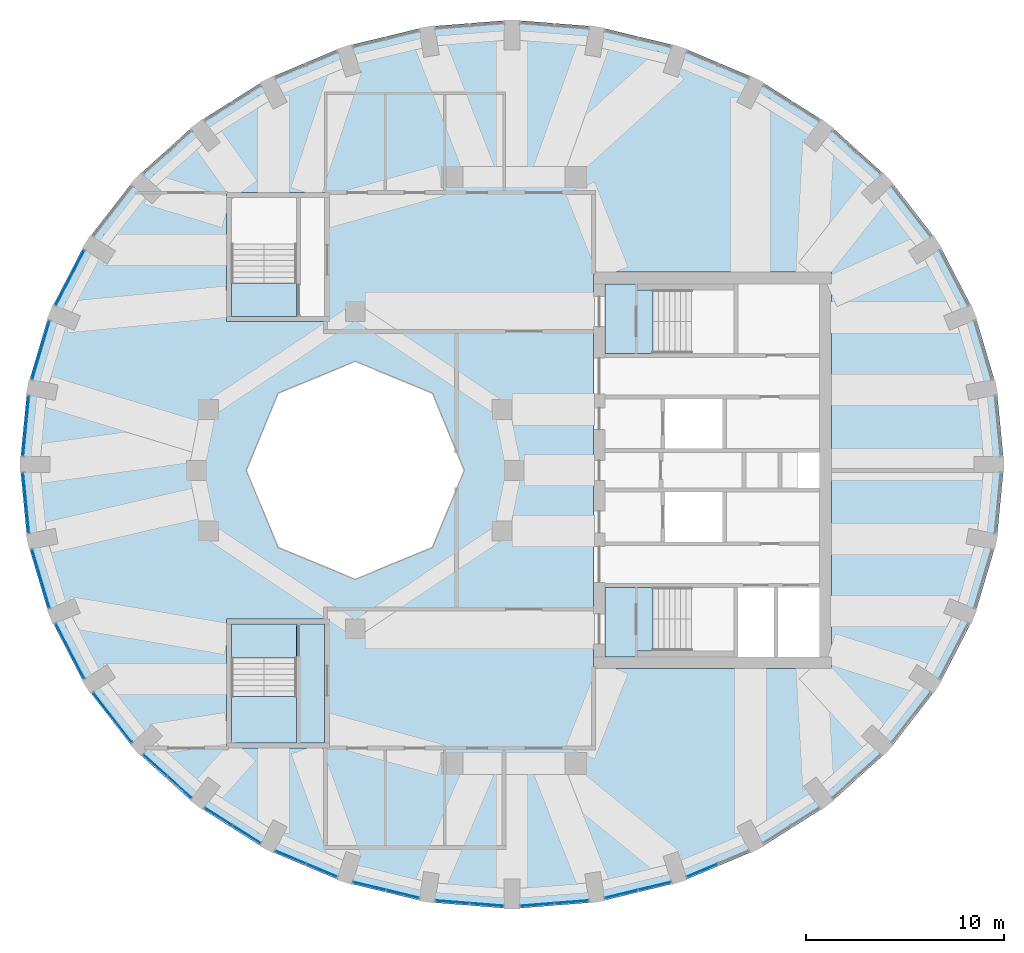
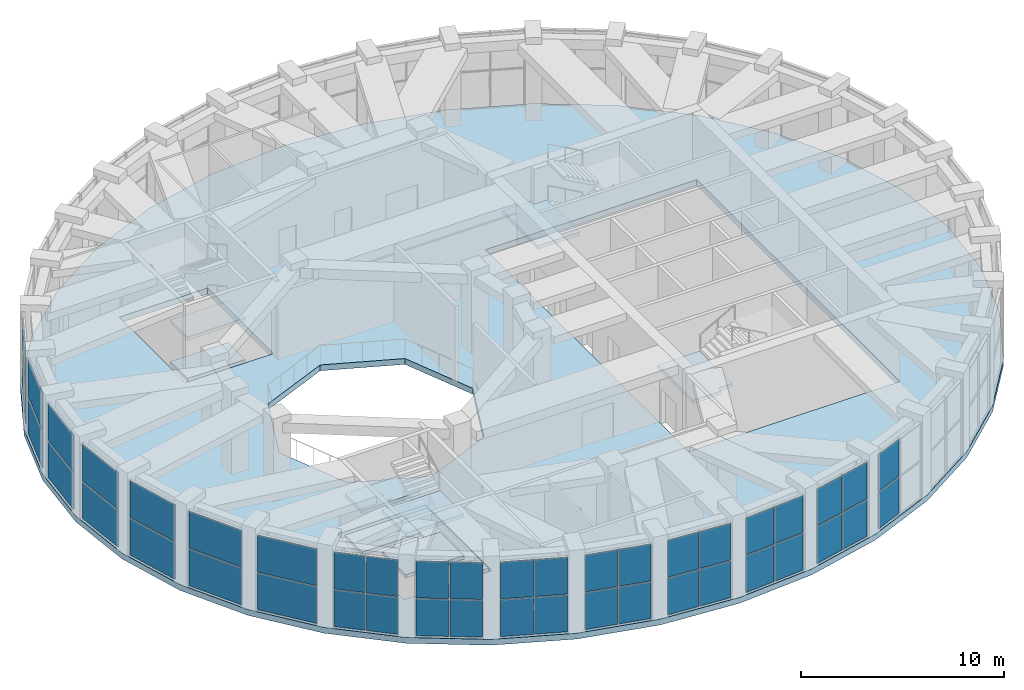
# One storey, part 10 of 16: 44 plates, 10 slabs, 19 elements without a shape of their own.
"""IFC4 building model written with IfcOpenShell, lengths in metres."""

from ifc_helpers import new_model, si_unit, direction, frame, origin, origin_2d, place, context, subcontext, project, spatial, polyline, rectangle, outline, extrude, material, layer, layer_set, type_object, element, aggregate, save


model = new_model("IFC4")

# Units and contexts
model_context = context("Model", 3, precision=1e-05, world=origin(), true_north=direction((0.0, 1.0)))
body_context = subcontext(model_context, "Body", "Model", "MODEL_VIEW")
ifc_project = project(units=[si_unit("LENGTHUNIT", "METRE"), si_unit("AREAUNIT", "SQUARE_METRE"), si_unit("VOLUMEUNIT", "CUBIC_METRE"), si_unit("PLANEANGLEUNIT", "RADIAN"), si_unit("MASSUNIT", "GRAM", prefix="KILO")], contexts=[model_context])

# Site, building, storey
site_placement = place(None, origin())
site = spatial("IfcSite", under=ifc_project, at=site_placement, CompositionType="ELEMENT")
building_placement = place(site_placement, origin())
building = spatial("IfcBuilding", under=site, at=building_placement, Name="Taillehof Tower", CompositionType="ELEMENT")
storey_placement = place(building_placement, frame((0.0, 0.0, 264.199951171875)))
storey = spatial("IfcBuildingStorey", under=building, at=storey_placement, Name="L75", CompositionType="ELEMENT", Elevation=264.199951171875)

# Slab
ifc_material_1 = material(Name="Concrete C40/50", Category="concrete")
ifc_layer_1 = layer(ifc_material_1, 0.35009765625)
ifc_layer_set_1 = layer_set([ifc_layer_1], Name="Floor slab 350")
slab_type_1 = type_object("IfcSlabType", Name="Floor slab 350", PredefinedType="FLOOR", material=ifc_layer_set_1)
slab_1_placement = place(storey_placement, frame((0.0, 0.0, -0.349853515625)))
element("IfcSlab", 1, at=slab_1_placement, inside=storey, type_object=slab_type_1, Name="Floor slab L75", PredefinedType="FLOOR", context=body_context, shape_type="SweptSolid", body=[
    extrude(outline(polyline([(24.699951171875, 0.300048828125), (24.3232421875, 4.189697265625), (23.204345703125, 7.961181640625), (21.37744140625, 11.5), (18.89794921875, 14.698486328125), (15.841064453125, 17.45947265625), (12.300048828125, 19.698974609375), (8.382080078125, 21.34912109375), (4.20654296875, 22.359619140625), (-0.10009765625, 22.699951171875), (-4.406494140625, 22.359619140625), (-8.58203125, 21.34912109375), (-12.5, 19.698974609375), (-16.041015625, 17.45947265625), (-19.097900390625, 14.698486328125), (-21.577392578125, 11.5), (-23.404296875, 7.961181640625), (-24.523193359375, 4.189697265625), (-24.89990234375, 0.300048828125), (-24.523193359375, -3.589599609375), (-23.404296875, -7.361328125), (-21.577392578125, -10.89990234375), (-19.097900390625, -14.098388671875), (-16.041015625, -16.859375), (-12.5, -19.09912109375), (-8.58203125, -20.7490234375), (-4.406494140625, -21.759765625), (-0.10009765625, -22.10009765625), (4.20654296875, -21.759765625), (8.382080078125, -20.7490234375), (12.300048828125, -19.09912109375), (15.841064453125, -16.859375), (18.89794921875, -14.098388671875), (21.37744140625, -10.89990234375), (23.204345703125, -7.361328125), (24.3232421875, -3.589599609375), (24.699951171875, 0.300048828125)]), holes=[polyline([(-14.5, -7.5), (-9.5, -7.5), (-9.5, -14.0), (-14.5, -14.0), (-14.5, -7.5)]), polyline([(-8.0, -5.5), (-11.88916015625, -3.88916015625), (-13.5, 0.0), (-11.88916015625, 3.88916015625), (-8.0, 5.5), (-4.11083984375, 3.88916015625), (-2.5, 0.0), (-4.11083984375, -3.88916015625), (-8.0, -5.5)]), polyline([(16.0, 10.0), (16.0, -10.0), (4.0, -10.0), (4.0, 10.0), (16.0, 10.0)]), polyline([(-14.5, 14.0), (-9.5, 14.0), (-9.5, 7.5), (-14.5, 7.5), (-14.5, 14.0)])]), origin(), (0.0, 0.0, 1.0), 0.349853515625),
])

# Curtain wall, plates
ifc_material_2 = material(Name="Aluminium curtain wall with Clear laminated safety glass", Category="aluminium")
curtain_wall_type = type_object("IfcCurtainWallType", Name="Sky restaurant curtain wall", PredefinedType="USERDEFINED", material=ifc_material_2)
curtain_wall_1_placement = place(storey_placement, origin())
curtain_wall_1 = element("IfcCurtainWall", 2, at=curtain_wall_1_placement, inside=storey, type_object=curtain_wall_type, Name="Sky restaurant L75 bay 16", ObjectType="WINDOW WALL", PredefinedType="USERDEFINED")
ifc_material_3 = material(Name="Clear laminated safety glass", Category="glass")
ifc_layer_2 = layer(ifc_material_3, 0.031982421875)
ifc_layer_set_2 = layer_set([ifc_layer_2], Name="Sky restaurant glass panel 32")
plate_type = type_object("IfcPlateType", Name="Sky restaurant glass panel 32", PredefinedType="CURTAIN_PANEL", material=ifc_layer_set_2)
plate_1_placement = place(storey_placement, frame((-22.379638671875, 9.706787109375, 0.06005859375), z_axis=(0.0, 0.0, 1.0), x_axis=(-0.459891218474, -0.887975262702, 0.0)))
plate_1 = element("IfcPlate", 3, at=plate_1_placement, type_object=plate_type, Name="CT5E16 panel 1.1", PredefinedType="CURTAIN_PANEL", context=body_context, shape_type="SweptSolid", body=[
    extrude(rectangle(XDim=3.0869140625, YDim=0.031982421875, at=origin_2d()), origin(), (0.0, 0.0, 1.0), 2.205078125),
])
plate_2_placement = place(storey_placement, frame((-22.379638671875, 9.706787109375, 2.324951171875), z_axis=(0.0, 0.0, 1.0), x_axis=(-0.459891218474, -0.887975262702, 0.0)))
plate_2 = element("IfcPlate", 4, at=plate_2_placement, type_object=plate_type, Name="CT5E16 panel 1.2", PredefinedType="CURTAIN_PANEL", context=body_context, shape_type="SweptSolid", body=[
    extrude(rectangle(XDim=3.0869140625, YDim=0.031982421875, at=origin_2d()), origin(), (0.0, 0.0, 1.0), 2.205078125),
])
aggregate(curtain_wall_1, [plate_1, plate_2])

curtain_wall_2_placement = place(storey_placement, origin())
curtain_wall_2 = element("IfcCurtainWall", 5, at=curtain_wall_2_placement, inside=storey, type_object=curtain_wall_type, Name="Sky restaurant L75 bay 17", ObjectType="WINDOW WALL", PredefinedType="USERDEFINED")
plate_3_placement = place(storey_placement, frame((-23.8525390625, 6.06298828125, 0.06005859375), z_axis=(0.0, 0.0, 1.0), x_axis=(-0.285235558707, -0.958457446134, 0.0)))
plate_3 = element("IfcPlate", 6, at=plate_3_placement, type_object=plate_type, Name="CT5E17 panel 1.1", PredefinedType="CURTAIN_PANEL", context=body_context, shape_type="SweptSolid", body=[
    extrude(rectangle(XDim=3.041259765625, YDim=0.031982421875, at=origin_2d()), origin(), (0.0, 0.0, 1.0), 2.205078125),
])
plate_4_placement = place(storey_placement, frame((-23.8525390625, 6.06298828125, 2.324951171875), z_axis=(0.0, 0.0, 1.0), x_axis=(-0.285235558707, -0.958457446134, 0.0)))
plate_4 = element("IfcPlate", 7, at=plate_4_placement, type_object=plate_type, Name="CT5E17 panel 1.2", PredefinedType="CURTAIN_PANEL", context=body_context, shape_type="SweptSolid", body=[
    extrude(rectangle(XDim=3.041259765625, YDim=0.031982421875, at=origin_2d()), origin(), (0.0, 0.0, 1.0), 2.205078125),
])
aggregate(curtain_wall_2, [plate_3, plate_4])

curtain_wall_3_placement = place(storey_placement, origin())
curtain_wall_3 = element("IfcCurtainWall", 8, at=curtain_wall_3_placement, inside=storey, type_object=curtain_wall_type, Name="Sky restaurant L75 bay 18", ObjectType="WINDOW WALL", PredefinedType="USERDEFINED")
plate_5_placement = place(storey_placement, frame((-24.600830078125, 2.240966796875, 0.06005859375), z_axis=(0.0, 0.0, 1.0), x_axis=(-0.0967136211, -0.995312250248, 0.0)))
plate_5 = element("IfcPlate", 9, at=plate_5_placement, type_object=plate_type, Name="CT5E18 panel 1.1", PredefinedType="CURTAIN_PANEL", context=body_context, shape_type="SweptSolid", body=[
    extrude(rectangle(XDim=3.0166015625, YDim=0.031982421875, at=origin_2d()), origin(), (0.0, 0.0, 1.0), 2.205078125),
])
plate_6_placement = place(storey_placement, frame((-24.600830078125, 2.240966796875, 2.324951171875), z_axis=(0.0, 0.0, 1.0), x_axis=(-0.0967136211, -0.995312250248, 0.0)))
plate_6 = element("IfcPlate", 10, at=plate_6_placement, type_object=plate_type, Name="CT5E18 panel 1.2", PredefinedType="CURTAIN_PANEL", context=body_context, shape_type="SweptSolid", body=[
    extrude(rectangle(XDim=3.0166015625, YDim=0.031982421875, at=origin_2d()), origin(), (0.0, 0.0, 1.0), 2.205078125),
])
aggregate(curtain_wall_3, [plate_5, plate_6])

curtain_wall_4_placement = place(storey_placement, origin())
curtain_wall_4 = element("IfcCurtainWall", 11, at=curtain_wall_4_placement, inside=storey, type_object=curtain_wall_type, Name="Sky restaurant L75 bay 19", ObjectType="WINDOW WALL", PredefinedType="USERDEFINED")
plate_7_placement = place(storey_placement, frame((-24.600830078125, -1.64111328125, 0.06005859375), z_axis=(0.0, 0.0, 1.0), x_axis=(0.0967136211, -0.995312250248, 0.0)))
plate_7 = element("IfcPlate", 12, at=plate_7_placement, type_object=plate_type, Name="CT5E19 panel 1.1", PredefinedType="CURTAIN_PANEL", context=body_context, shape_type="SweptSolid", body=[
    extrude(rectangle(XDim=3.0166015625, YDim=0.031982421875, at=origin_2d()), origin(), (0.0, 0.0, 1.0), 2.205078125),
])
plate_8_placement = place(storey_placement, frame((-24.600830078125, -1.64111328125, 2.324951171875), z_axis=(0.0, 0.0, 1.0), x_axis=(0.0967136211, -0.995312250248, 0.0)))
plate_8 = element("IfcPlate", 13, at=plate_8_placement, type_object=plate_type, Name="CT5E19 panel 1.2", PredefinedType="CURTAIN_PANEL", context=body_context, shape_type="SweptSolid", body=[
    extrude(rectangle(XDim=3.0166015625, YDim=0.031982421875, at=origin_2d()), origin(), (0.0, 0.0, 1.0), 2.205078125),
])
aggregate(curtain_wall_4, [plate_7, plate_8])

curtain_wall_5_placement = place(storey_placement, origin())
curtain_wall_5 = element("IfcCurtainWall", 14, at=curtain_wall_5_placement, inside=storey, type_object=curtain_wall_type, Name="Sky restaurant L75 bay 20", ObjectType="WINDOW WALL", PredefinedType="USERDEFINED")
plate_9_placement = place(storey_placement, frame((-23.8525390625, -5.462890625, 0.06005859375), z_axis=(0.0, 0.0, 1.0), x_axis=(0.285235558707, -0.958457446134, 0.0)))
plate_9 = element("IfcPlate", 15, at=plate_9_placement, type_object=plate_type, Name="CT5E20 panel 1.1", PredefinedType="CURTAIN_PANEL", context=body_context, shape_type="SweptSolid", body=[
    extrude(rectangle(XDim=3.041259765625, YDim=0.031982421875, at=origin_2d()), origin(), (0.0, 0.0, 1.0), 2.205078125),
])
plate_10_placement = place(storey_placement, frame((-23.8525390625, -5.462890625, 2.324951171875), z_axis=(0.0, 0.0, 1.0), x_axis=(0.285235558707, -0.958457446134, 0.0)))
plate_10 = element("IfcPlate", 16, at=plate_10_placement, type_object=plate_type, Name="CT5E20 panel 1.2", PredefinedType="CURTAIN_PANEL", context=body_context, shape_type="SweptSolid", body=[
    extrude(rectangle(XDim=3.041259765625, YDim=0.031982421875, at=origin_2d()), origin(), (0.0, 0.0, 1.0), 2.205078125),
])
aggregate(curtain_wall_5, [plate_9, plate_10])

curtain_wall_6_placement = place(storey_placement, origin())
curtain_wall_6 = element("IfcCurtainWall", 17, at=curtain_wall_6_placement, inside=storey, type_object=curtain_wall_type, Name="Sky restaurant L75 bay 21", ObjectType="WINDOW WALL", PredefinedType="USERDEFINED")
plate_11_placement = place(storey_placement, frame((-22.379638671875, -9.106689453125, 0.06005859375), z_axis=(0.0, 0.0, 1.0), x_axis=(0.459891218474, -0.887975262702, 0.0)))
plate_11 = element("IfcPlate", 18, at=plate_11_placement, type_object=plate_type, Name="CT5E21 panel 1.1", PredefinedType="CURTAIN_PANEL", context=body_context, shape_type="SweptSolid", body=[
    extrude(rectangle(XDim=3.0869140625, YDim=0.031982421875, at=origin_2d()), origin(), (0.0, 0.0, 1.0), 2.205078125),
])
plate_12_placement = place(storey_placement, frame((-22.379638671875, -9.106689453125, 2.324951171875), z_axis=(0.0, 0.0, 1.0), x_axis=(0.459891218474, -0.887975262702, 0.0)))
plate_12 = element("IfcPlate", 19, at=plate_12_placement, type_object=plate_type, Name="CT5E21 panel 1.2", PredefinedType="CURTAIN_PANEL", context=body_context, shape_type="SweptSolid", body=[
    extrude(rectangle(XDim=3.0869140625, YDim=0.031982421875, at=origin_2d()), origin(), (0.0, 0.0, 1.0), 2.205078125),
])
aggregate(curtain_wall_6, [plate_11, plate_12])

curtain_wall_7_placement = place(storey_placement, origin())
curtain_wall_7 = element("IfcCurtainWall", 20, at=curtain_wall_7_placement, inside=storey, type_object=curtain_wall_type, Name="Sky restaurant L75 bay 22", ObjectType="WINDOW WALL", PredefinedType="USERDEFINED")
plate_13_placement = place(storey_placement, frame((-20.229248046875, -12.460693359375, 0.06005859375), z_axis=(0.0, 0.0, 1.0), x_axis=(0.613902818005, -0.789381612432, 0.0)))
plate_13 = element("IfcPlate", 21, at=plate_13_placement, type_object=plate_type, Name="CT5E22 panel 1.1", PredefinedType="CURTAIN_PANEL", context=body_context, shape_type="SweptSolid", body=[
    extrude(rectangle(XDim=3.14794921875, YDim=0.031982421875, at=origin_2d()), origin(), (0.0, 0.0, 1.0), 2.205078125),
])
plate_14_placement = place(storey_placement, frame((-20.229248046875, -12.460693359375, 2.324951171875), z_axis=(0.0, 0.0, 1.0), x_axis=(0.613902818005, -0.789381612432, 0.0)))
plate_14 = element("IfcPlate", 22, at=plate_14_placement, type_object=plate_type, Name="CT5E22 panel 1.2", PredefinedType="CURTAIN_PANEL", context=body_context, shape_type="SweptSolid", body=[
    extrude(rectangle(XDim=3.14794921875, YDim=0.031982421875, at=origin_2d()), origin(), (0.0, 0.0, 1.0), 2.205078125),
])
aggregate(curtain_wall_7, [plate_13, plate_14])

curtain_wall_8_placement = place(storey_placement, origin())
curtain_wall_8 = element("IfcCurtainWall", 23, at=curtain_wall_8_placement, inside=storey, type_object=curtain_wall_type, Name="Sky restaurant L75 bay 23", ObjectType="WINDOW WALL", PredefinedType="USERDEFINED")
plate_15_placement = place(storey_placement, frame((-18.077392578125, -14.875, 0.06005859375), z_axis=(0.0, 0.0, 1.0), x_axis=(0.74316593792, -0.669107157872, 0.0)))
plate_15 = element("IfcPlate", 24, at=plate_15_placement, type_object=plate_type, Name="CT5E23 panel 1.1", PredefinedType="CURTAIN_PANEL", context=body_context, shape_type="SweptSolid", body=[
    extrude(rectangle(XDim=1.578125, YDim=0.031982421875, at=origin_2d()), origin(), (0.0, 0.0, 1.0), 2.205078125),
])
plate_16_placement = place(storey_placement, frame((-18.077392578125, -14.875, 2.324951171875), z_axis=(0.0, 0.0, 1.0), x_axis=(0.74316593792, -0.669107157872, 0.0)))
plate_16 = element("IfcPlate", 25, at=plate_16_placement, type_object=plate_type, Name="CT5E23 panel 1.2", PredefinedType="CURTAIN_PANEL", context=body_context, shape_type="SweptSolid", body=[
    extrude(rectangle(XDim=1.578125, YDim=0.031982421875, at=origin_2d()), origin(), (0.0, 0.0, 1.0), 2.205078125),
])
plate_17_placement = place(storey_placement, frame((-16.85986328125, -15.97119140625, 0.06005859375), z_axis=(0.0, 0.0, 1.0), x_axis=(0.74316593792, -0.669107157872, 0.0)))
plate_17 = element("IfcPlate", 26, at=plate_17_placement, type_object=plate_type, Name="CT5E23 panel 2.1", PredefinedType="CURTAIN_PANEL", context=body_context, shape_type="SweptSolid", body=[
    extrude(rectangle(XDim=1.578125, YDim=0.031982421875, at=origin_2d()), origin(), (0.0, 0.0, 1.0), 2.205078125),
])
plate_18_placement = place(storey_placement, frame((-16.85986328125, -15.97119140625, 2.324951171875), z_axis=(0.0, 0.0, 1.0), x_axis=(0.74316593792, -0.669107157872, 0.0)))
plate_18 = element("IfcPlate", 27, at=plate_18_placement, type_object=plate_type, Name="CT5E23 panel 2.2", PredefinedType="CURTAIN_PANEL", context=body_context, shape_type="SweptSolid", body=[
    extrude(rectangle(XDim=1.578125, YDim=0.031982421875, at=origin_2d()), origin(), (0.0, 0.0, 1.0), 2.205078125),
])
aggregate(curtain_wall_8, [plate_15, plate_16, plate_17, plate_18])

curtain_wall_9_placement = place(storey_placement, origin())
curtain_wall_9 = element("IfcCurtainWall", 28, at=curtain_wall_9_placement, inside=storey, type_object=curtain_wall_type, Name="Sky restaurant L75 bay 24", ObjectType="WINDOW WALL", PredefinedType="USERDEFINED")
plate_19_placement = place(storey_placement, frame((-14.89013671875, -17.459716796875, 0.06005859375), z_axis=(0.0, 0.0, 1.0), x_axis=(0.845929695916, -0.533294430468, 0.0)))
plate_19 = element("IfcPlate", 29, at=plate_19_placement, type_object=plate_type, Name="CT5E24 panel 1.1", PredefinedType="CURTAIN_PANEL", context=body_context, shape_type="SweptSolid", body=[
    extrude(rectangle(XDim=1.61181640625, YDim=0.031982421875, at=origin_2d()), origin(), (0.0, 0.0, 1.0), 2.205078125),
])
plate_20_placement = place(storey_placement, frame((-14.89013671875, -17.459716796875, 2.324951171875), z_axis=(0.0, 0.0, 1.0), x_axis=(0.845929695916, -0.533294430468, 0.0)))
plate_20 = element("IfcPlate", 30, at=plate_20_placement, type_object=plate_type, Name="CT5E24 panel 1.2", PredefinedType="CURTAIN_PANEL", context=body_context, shape_type="SweptSolid", body=[
    extrude(rectangle(XDim=1.61181640625, YDim=0.031982421875, at=origin_2d()), origin(), (0.0, 0.0, 1.0), 2.205078125),
])
plate_21_placement = place(storey_placement, frame((-13.475830078125, -18.351318359375, 0.06005859375), z_axis=(0.0, 0.0, 1.0), x_axis=(0.845929695916, -0.533294430468, 0.0)))
plate_21 = element("IfcPlate", 31, at=plate_21_placement, type_object=plate_type, Name="CT5E24 panel 2.1", PredefinedType="CURTAIN_PANEL", context=body_context, shape_type="SweptSolid", body=[
    extrude(rectangle(XDim=1.61181640625, YDim=0.031982421875, at=origin_2d()), origin(), (0.0, 0.0, 1.0), 2.205078125),
])
plate_22_placement = place(storey_placement, frame((-13.475830078125, -18.351318359375, 2.324951171875), z_axis=(0.0, 0.0, 1.0), x_axis=(0.845929695916, -0.533294430468, 0.0)))
plate_22 = element("IfcPlate", 32, at=plate_22_placement, type_object=plate_type, Name="CT5E24 panel 2.2", PredefinedType="CURTAIN_PANEL", context=body_context, shape_type="SweptSolid", body=[
    extrude(rectangle(XDim=1.61181640625, YDim=0.031982421875, at=origin_2d()), origin(), (0.0, 0.0, 1.0), 2.205078125),
])
aggregate(curtain_wall_9, [plate_19, plate_20, plate_21, plate_22])

curtain_wall_10_placement = place(storey_placement, origin())
curtain_wall_10 = element("IfcCurtainWall", 33, at=curtain_wall_10_placement, inside=storey, type_object=curtain_wall_type, Name="Sky restaurant L75 bay 25", ObjectType="WINDOW WALL", PredefinedType="USERDEFINED")
plate_23_placement = place(storey_placement, frame((-11.25732421875, -19.505126953125, 0.06005859375), z_axis=(0.0, 0.0, 1.0), x_axis=(0.922037438233, -0.387100713636, 0.0)))
plate_23 = element("IfcPlate", 34, at=plate_23_placement, type_object=plate_type, Name="CT5E25 panel 1.1", PredefinedType="CURTAIN_PANEL", context=body_context, shape_type="SweptSolid", body=[
    extrude(rectangle(XDim=1.64111328125, YDim=0.031982421875, at=origin_2d()), origin(), (0.0, 0.0, 1.0), 2.205078125),
])
plate_24_placement = place(storey_placement, frame((-11.25732421875, -19.505126953125, 2.324951171875), z_axis=(0.0, 0.0, 1.0), x_axis=(0.922037438233, -0.387100713636, 0.0)))
plate_24 = element("IfcPlate", 35, at=plate_24_placement, type_object=plate_type, Name="CT5E25 panel 1.2", PredefinedType="CURTAIN_PANEL", context=body_context, shape_type="SweptSolid", body=[
    extrude(rectangle(XDim=1.64111328125, YDim=0.031982421875, at=origin_2d()), origin(), (0.0, 0.0, 1.0), 2.205078125),
])
plate_25_placement = place(storey_placement, frame((-9.688720703125, -20.16357421875, 0.06005859375), z_axis=(0.0, 0.0, 1.0), x_axis=(0.922037438233, -0.387100713636, 0.0)))
plate_25 = element("IfcPlate", 36, at=plate_25_placement, type_object=plate_type, Name="CT5E25 panel 2.1", PredefinedType="CURTAIN_PANEL", context=body_context, shape_type="SweptSolid", body=[
    extrude(rectangle(XDim=1.64111328125, YDim=0.031982421875, at=origin_2d()), origin(), (0.0, 0.0, 1.0), 2.205078125),
])
plate_26_placement = place(storey_placement, frame((-9.688720703125, -20.16357421875, 2.324951171875), z_axis=(0.0, 0.0, 1.0), x_axis=(0.922037438233, -0.387100713636, 0.0)))
plate_26 = element("IfcPlate", 37, at=plate_26_placement, type_object=plate_type, Name="CT5E25 panel 2.2", PredefinedType="CURTAIN_PANEL", context=body_context, shape_type="SweptSolid", body=[
    extrude(rectangle(XDim=1.64111328125, YDim=0.031982421875, at=origin_2d()), origin(), (0.0, 0.0, 1.0), 2.205078125),
])
aggregate(curtain_wall_10, [plate_23, plate_24, plate_25, plate_26])

curtain_wall_11_placement = place(storey_placement, origin())
curtain_wall_11 = element("IfcCurtainWall", 38, at=curtain_wall_11_placement, inside=storey, type_object=curtain_wall_type, Name="Sky restaurant L75 bay 26", ObjectType="WINDOW WALL", PredefinedType="USERDEFINED")
plate_27_placement = place(storey_placement, frame((-7.288330078125, -20.950439453125, 0.06005859375), z_axis=(0.0, 0.0, 1.0), x_axis=(0.972112616855, -0.234514520129, 0.0)))
plate_27 = element("IfcPlate", 39, at=plate_27_placement, type_object=plate_type, Name="CT5E26 panel 1.1", PredefinedType="CURTAIN_PANEL", context=body_context, shape_type="SweptSolid", body=[
    extrude(rectangle(XDim=1.66259765625, YDim=0.031982421875, at=origin_2d()), origin(), (0.0, 0.0, 1.0), 2.205078125),
])
plate_28_placement = place(storey_placement, frame((-7.288330078125, -20.950439453125, 2.324951171875), z_axis=(0.0, 0.0, 1.0), x_axis=(0.972112616855, -0.234514520129, 0.0)))
plate_28 = element("IfcPlate", 40, at=plate_28_placement, type_object=plate_type, Name="CT5E26 panel 1.2", PredefinedType="CURTAIN_PANEL", context=body_context, shape_type="SweptSolid", body=[
    extrude(rectangle(XDim=1.66259765625, YDim=0.031982421875, at=origin_2d()), origin(), (0.0, 0.0, 1.0), 2.205078125),
])
plate_29_placement = place(storey_placement, frame((-5.61376953125, -21.354248046875, 0.06005859375), z_axis=(0.0, 0.0, 1.0), x_axis=(0.972112616855, -0.234514520129, 0.0)))
plate_29 = element("IfcPlate", 41, at=plate_29_placement, type_object=plate_type, Name="CT5E26 panel 2.1", PredefinedType="CURTAIN_PANEL", context=body_context, shape_type="SweptSolid", body=[
    extrude(rectangle(XDim=1.66259765625, YDim=0.031982421875, at=origin_2d()), origin(), (0.0, 0.0, 1.0), 2.205078125),
])
plate_30_placement = place(storey_placement, frame((-5.61376953125, -21.354248046875, 2.324951171875), z_axis=(0.0, 0.0, 1.0), x_axis=(0.972112616855, -0.234514520129, 0.0)))
plate_30 = element("IfcPlate", 42, at=plate_30_placement, type_object=plate_type, Name="CT5E26 panel 2.2", PredefinedType="CURTAIN_PANEL", context=body_context, shape_type="SweptSolid", body=[
    extrude(rectangle(XDim=1.66259765625, YDim=0.031982421875, at=origin_2d()), origin(), (0.0, 0.0, 1.0), 2.205078125),
])
aggregate(curtain_wall_11, [plate_27, plate_28, plate_29, plate_30])

curtain_wall_12_placement = place(storey_placement, origin())
curtain_wall_12 = element("IfcCurtainWall", 43, at=curtain_wall_12_placement, inside=storey, type_object=curtain_wall_type, Name="Sky restaurant L75 bay 27", ObjectType="WINDOW WALL", PredefinedType="USERDEFINED")
plate_31_placement = place(storey_placement, frame((-3.1025390625, -21.753173828125, 0.06005859375), z_axis=(0.0, 0.0, 1.0), x_axis=(0.996912140109, -0.078525059075, 0.0)))
plate_31 = element("IfcPlate", 44, at=plate_31_placement, type_object=plate_type, Name="CT5E27 panel 1.1", PredefinedType="CURTAIN_PANEL", context=body_context, shape_type="SweptSolid", body=[
    extrude(rectangle(XDim=1.673828125, YDim=0.031982421875, at=origin_2d()), origin(), (0.0, 0.0, 1.0), 2.205078125),
])
plate_32_placement = place(storey_placement, frame((-3.1025390625, -21.753173828125, 2.324951171875), z_axis=(0.0, 0.0, 1.0), x_axis=(0.996912140109, -0.078525059075, 0.0)))
plate_32 = element("IfcPlate", 45, at=plate_32_placement, type_object=plate_type, Name="CT5E27 panel 1.2", PredefinedType="CURTAIN_PANEL", context=body_context, shape_type="SweptSolid", body=[
    extrude(rectangle(XDim=1.673828125, YDim=0.031982421875, at=origin_2d()), origin(), (0.0, 0.0, 1.0), 2.205078125),
])
plate_33_placement = place(storey_placement, frame((-1.374267578125, -21.889404296875, 0.06005859375), z_axis=(0.0, 0.0, 1.0), x_axis=(0.996912140109, -0.078525059075, 0.0)))
plate_33 = element("IfcPlate", 46, at=plate_33_placement, type_object=plate_type, Name="CT5E27 panel 2.1", PredefinedType="CURTAIN_PANEL", context=body_context, shape_type="SweptSolid", body=[
    extrude(rectangle(XDim=1.673828125, YDim=0.031982421875, at=origin_2d()), origin(), (0.0, 0.0, 1.0), 2.205078125),
])
plate_34_placement = place(storey_placement, frame((-1.374267578125, -21.889404296875, 2.324951171875), z_axis=(0.0, 0.0, 1.0), x_axis=(0.996912140109, -0.078525059075, 0.0)))
plate_34 = element("IfcPlate", 47, at=plate_34_placement, type_object=plate_type, Name="CT5E27 panel 2.2", PredefinedType="CURTAIN_PANEL", context=body_context, shape_type="SweptSolid", body=[
    extrude(rectangle(XDim=1.673828125, YDim=0.031982421875, at=origin_2d()), origin(), (0.0, 0.0, 1.0), 2.205078125),
])
aggregate(curtain_wall_12, [plate_31, plate_32, plate_33, plate_34])

curtain_wall_13_placement = place(storey_placement, origin())
curtain_wall_13 = element("IfcCurtainWall", 48, at=curtain_wall_13_placement, inside=storey, type_object=curtain_wall_type, Name="Sky restaurant L75 bay 28", ObjectType="WINDOW WALL", PredefinedType="USERDEFINED")
plate_35_placement = place(storey_placement, frame((1.174072265625, -21.889404296875, 0.06005859375), z_axis=(0.0, 0.0, 1.0), x_axis=(0.996912140109, 0.078525059075, 0.0)))
plate_35 = element("IfcPlate", 49, at=plate_35_placement, type_object=plate_type, Name="CT5E28 panel 1.1", PredefinedType="CURTAIN_PANEL", context=body_context, shape_type="SweptSolid", body=[
    extrude(rectangle(XDim=1.673828125, YDim=0.031982421875, at=origin_2d()), origin(), (0.0, 0.0, 1.0), 2.205078125),
])
plate_36_placement = place(storey_placement, frame((1.174072265625, -21.889404296875, 2.324951171875), z_axis=(0.0, 0.0, 1.0), x_axis=(0.996912140109, 0.078525059075, 0.0)))
plate_36 = element("IfcPlate", 50, at=plate_36_placement, type_object=plate_type, Name="CT5E28 panel 1.2", PredefinedType="CURTAIN_PANEL", context=body_context, shape_type="SweptSolid", body=[
    extrude(rectangle(XDim=1.673828125, YDim=0.031982421875, at=origin_2d()), origin(), (0.0, 0.0, 1.0), 2.205078125),
])
plate_37_placement = place(storey_placement, frame((2.902587890625, -21.753173828125, 0.06005859375), z_axis=(0.0, 0.0, 1.0), x_axis=(0.996912140109, 0.078525059075, 0.0)))
plate_37 = element("IfcPlate", 51, at=plate_37_placement, type_object=plate_type, Name="CT5E28 panel 2.1", PredefinedType="CURTAIN_PANEL", context=body_context, shape_type="SweptSolid", body=[
    extrude(rectangle(XDim=1.673828125, YDim=0.031982421875, at=origin_2d()), origin(), (0.0, 0.0, 1.0), 2.205078125),
])
plate_38_placement = place(storey_placement, frame((2.902587890625, -21.753173828125, 2.324951171875), z_axis=(0.0, 0.0, 1.0), x_axis=(0.996912140109, 0.078525059075, 0.0)))
plate_38 = element("IfcPlate", 52, at=plate_38_placement, type_object=plate_type, Name="CT5E28 panel 2.2", PredefinedType="CURTAIN_PANEL", context=body_context, shape_type="SweptSolid", body=[
    extrude(rectangle(XDim=1.673828125, YDim=0.031982421875, at=origin_2d()), origin(), (0.0, 0.0, 1.0), 2.205078125),
])
aggregate(curtain_wall_13, [plate_35, plate_36, plate_37, plate_38])

curtain_wall_14_placement = place(storey_placement, origin())
curtain_wall_14 = element("IfcCurtainWall", 53, at=curtain_wall_14_placement, inside=storey, type_object=curtain_wall_type, Name="Sky restaurant L75 bay 29", ObjectType="WINDOW WALL", PredefinedType="USERDEFINED")
plate_39_placement = place(storey_placement, frame((5.413818359375, -21.354248046875, 0.06005859375), z_axis=(0.0, 0.0, 1.0), x_axis=(0.972112616855, 0.234514520129, 0.0)))
plate_39 = element("IfcPlate", 54, at=plate_39_placement, type_object=plate_type, Name="CT5E29 panel 1.1", PredefinedType="CURTAIN_PANEL", context=body_context, shape_type="SweptSolid", body=[
    extrude(rectangle(XDim=1.66259765625, YDim=0.031982421875, at=origin_2d()), origin(), (0.0, 0.0, 1.0), 2.205078125),
])
plate_40_placement = place(storey_placement, frame((5.413818359375, -21.354248046875, 2.324951171875), z_axis=(0.0, 0.0, 1.0), x_axis=(0.972112616855, 0.234514520129, 0.0)))
plate_40 = element("IfcPlate", 55, at=plate_40_placement, type_object=plate_type, Name="CT5E29 panel 1.2", PredefinedType="CURTAIN_PANEL", context=body_context, shape_type="SweptSolid", body=[
    extrude(rectangle(XDim=1.66259765625, YDim=0.031982421875, at=origin_2d()), origin(), (0.0, 0.0, 1.0), 2.205078125),
])
plate_41_placement = place(storey_placement, frame((7.08837890625, -20.950439453125, 0.06005859375), z_axis=(0.0, 0.0, 1.0), x_axis=(0.972112616855, 0.234514520129, 0.0)))
plate_41 = element("IfcPlate", 56, at=plate_41_placement, type_object=plate_type, Name="CT5E29 panel 2.1", PredefinedType="CURTAIN_PANEL", context=body_context, shape_type="SweptSolid", body=[
    extrude(rectangle(XDim=1.66259765625, YDim=0.031982421875, at=origin_2d()), origin(), (0.0, 0.0, 1.0), 2.205078125),
])
plate_42_placement = place(storey_placement, frame((7.08837890625, -20.950439453125, 2.324951171875), z_axis=(0.0, 0.0, 1.0), x_axis=(0.972112616855, 0.234514520129, 0.0)))
plate_42 = element("IfcPlate", 57, at=plate_42_placement, type_object=plate_type, Name="CT5E29 panel 2.2", PredefinedType="CURTAIN_PANEL", context=body_context, shape_type="SweptSolid", body=[
    extrude(rectangle(XDim=1.66259765625, YDim=0.031982421875, at=origin_2d()), origin(), (0.0, 0.0, 1.0), 2.205078125),
])
aggregate(curtain_wall_14, [plate_39, plate_40, plate_41, plate_42])

curtain_wall_15_placement = place(storey_placement, origin())
curtain_wall_15 = element("IfcCurtainWall", 58, at=curtain_wall_15_placement, inside=storey, type_object=curtain_wall_type, Name="Sky restaurant L75 bay 30", ObjectType="WINDOW WALL", PredefinedType="USERDEFINED")
plate_43_placement = place(storey_placement, frame((9.48876953125, -20.16357421875, 0.06005859375), z_axis=(0.0, 0.0, 1.0), x_axis=(0.922037438233, 0.387100713636, 0.0)))
plate_43 = element("IfcPlate", 59, at=plate_43_placement, type_object=plate_type, Name="CT5E30 panel 1.1", PredefinedType="CURTAIN_PANEL", context=body_context, shape_type="SweptSolid", body=[
    extrude(rectangle(XDim=1.64111328125, YDim=0.031982421875, at=origin_2d()), origin(), (0.0, 0.0, 1.0), 2.205078125),
])
plate_44_placement = place(storey_placement, frame((9.48876953125, -20.16357421875, 2.324951171875), z_axis=(0.0, 0.0, 1.0), x_axis=(0.922037438233, 0.387100713636, 0.0)))
plate_44 = element("IfcPlate", 60, at=plate_44_placement, type_object=plate_type, Name="CT5E30 panel 1.2", PredefinedType="CURTAIN_PANEL", context=body_context, shape_type="SweptSolid", body=[
    extrude(rectangle(XDim=1.64111328125, YDim=0.031982421875, at=origin_2d()), origin(), (0.0, 0.0, 1.0), 2.205078125),
])
aggregate(curtain_wall_15, [plate_43, plate_44])

# Stair, slab
ifc_material_4 = material(Name="Concrete C40/50", Category="concrete")
stair_type = type_object("IfcStairType", Name="Exit stair half-turn", PredefinedType="HALF_TURN_STAIR", material=ifc_material_4)
stair_1_placement = place(storey_placement, origin())
stair_1 = element("IfcStair", 61, at=stair_1_placement, inside=storey, type_object=stair_type, Name="Exit stair S1", PredefinedType="HALF_TURN_STAIR")
ifc_material_5 = material(Name="Concrete C40/50", Category="concrete")
ifc_layer_3 = layer(ifc_material_5, 0.2099609375)
ifc_layer_set_3 = layer_set([ifc_layer_3], Name="Stair landing C40/50 210")
slab_type_2 = type_object("IfcSlabType", Name="Stair landing C40/50 210", PredefinedType="LANDING", material=ifc_layer_set_3)
slab_2_placement = place(storey_placement, frame((0.0, 0.0, 2.2900390625)))
slab_2 = element("IfcSlab", 62, at=slab_2_placement, type_object=slab_type_2, Name="S1 landing 2", PredefinedType="LANDING", context=body_context, shape_type="SweptSolid", body=[
    extrude(outline(polyline([(4.60009765625, 5.89990234375), (7.0, 5.89990234375), (7.0, 9.10009765625), (6.219970703125, 9.10009765625), (6.219970703125, 9.39990234375), (4.60009765625, 9.39990234375), (4.60009765625, 5.89990234375)])), origin(), (0.0, 0.0, 1.0), 0.2099609375),
])
aggregate(stair_1, [slab_2])

stair_2_placement = place(storey_placement, origin())
stair_2 = element("IfcStair", 63, at=stair_2_placement, inside=storey, type_object=stair_type, Name="Exit stair S2", PredefinedType="HALF_TURN_STAIR")
slab_3_placement = place(storey_placement, frame((0.0, 0.0, 2.2900390625)))
slab_3 = element("IfcSlab", 64, at=slab_3_placement, type_object=slab_type_2, Name="S2 landing 2", PredefinedType="LANDING", context=body_context, shape_type="SweptSolid", body=[
    extrude(outline(polyline([(4.60009765625, -5.89990234375), (7.0, -5.89990234375), (7.0, -9.10009765625), (6.219970703125, -9.10009765625), (6.219970703125, -9.39990234375), (4.60009765625, -9.39990234375), (4.60009765625, -5.89990234375)])), origin(), (0.0, 0.0, 1.0), 0.2099609375),
])
aggregate(stair_2, [slab_3])

stair_3_placement = place(storey_placement, origin())
stair_3 = element("IfcStair", 65, at=stair_3_placement, inside=storey, type_object=stair_type, Name="Exit stair S3", PredefinedType="HALF_TURN_STAIR")
slab_4_placement = place(storey_placement, frame((0.0, 0.0, 2.2900390625)))
slab_4 = element("IfcSlab", 66, at=slab_4_placement, type_object=slab_type_2, Name="S3 landing 2", PredefinedType="LANDING", context=body_context, shape_type="SweptSolid", body=[
    extrude(outline(polyline([(-14.25, 7.75), (-14.25, 9.449951171875), (-10.949951171875, 9.449951171875), (-10.949951171875, 7.75), (-14.25, 7.75)])), origin(), (0.0, 0.0, 1.0), 0.2099609375),
])
aggregate(stair_3, [slab_4])

# Stair, slabs
stair_4_placement = place(storey_placement, origin())
stair_4 = element("IfcStair", 67, at=stair_4_placement, inside=storey, type_object=stair_type, Name="Exit stair S4", PredefinedType="HALF_TURN_STAIR")
slab_5_placement = place(storey_placement, frame((0.0, 0.0, 1.0400390625)))
slab_5 = element("IfcSlab", 68, at=slab_5_placement, type_object=slab_type_2, Name="S4 landing 1", PredefinedType="LANDING", context=body_context, shape_type="SweptSolid", body=[
    extrude(outline(polyline([(-14.25, -11.409912109375), (-14.25, -13.75), (-10.949951171875, -13.75), (-10.949951171875, -11.409912109375), (-14.25, -11.409912109375)])), origin(), (0.0, 0.0, 1.0), 0.2099609375),
])
slab_6_placement = place(storey_placement, frame((0.0, 0.0, 2.2900390625)))
slab_6 = element("IfcSlab", 69, at=slab_6_placement, type_object=slab_type_2, Name="S4 landing 2", PredefinedType="LANDING", context=body_context, shape_type="SweptSolid", body=[
    extrude(outline(polyline([(-14.25, -7.75), (-14.25, -9.449951171875), (-10.949951171875, -9.449951171875), (-10.949951171875, -7.75), (-14.25, -7.75)])), origin(), (0.0, 0.0, 1.0), 0.2099609375),
])
slab_7_placement = place(storey_placement, frame((0.0, 0.0, 3.5400390625)))
slab_7 = element("IfcSlab", 70, at=slab_7_placement, type_object=slab_type_2, Name="S4 landing 3", PredefinedType="LANDING", context=body_context, shape_type="SweptSolid", body=[
    extrude(outline(polyline([(-14.25, -11.409912109375), (-14.25, -13.75), (-10.949951171875, -13.75), (-10.949951171875, -11.409912109375), (-14.25, -11.409912109375)])), origin(), (0.0, 0.0, 1.0), 0.2099609375),
])
aggregate(stair_4, [slab_5, slab_6, slab_7])

# Slabs
slab_8_placement = place(storey_placement, frame((0.0, 0.0, -0.2099609375)))
element("IfcSlab", 71, at=slab_8_placement, inside=storey, type_object=slab_type_2, Name="Stair S3 floor landing", PredefinedType="LANDING", context=body_context, shape_type="SweptSolid", body=[
    extrude(outline(polyline([(-14.25, 7.75), (-14.25, 9.449951171875), (-10.949951171875, 9.449951171875), (-10.949951171875, 7.75), (-14.25, 7.75)])), origin(), (0.0, 0.0, 1.0), 0.2099609375),
])
slab_9_placement = place(storey_placement, frame((0.0, 0.0, -0.2099609375)))
element("IfcSlab", 72, at=slab_9_placement, inside=storey, type_object=slab_type_2, Name="Stair S4 floor landing", PredefinedType="LANDING", context=body_context, shape_type="SweptSolid", body=[
    extrude(outline(polyline([(-14.25, -7.75), (-14.25, -9.449951171875), (-10.949951171875, -9.449951171875), (-10.949951171875, -7.75), (-14.25, -7.75)])), origin(), (0.0, 0.0, 1.0), 0.2099609375),
])
slab_10_placement = place(storey_placement, frame((0.0, 0.0, -0.2099609375)))
element("IfcSlab", 73, at=slab_10_placement, inside=storey, type_object=slab_type_2, Name="Stair lobby S4 floor", PredefinedType="LANDING", context=body_context, shape_type="SweptSolid", body=[
    extrude(outline(polyline([(-10.949951171875, -13.75), (-9.550048828125, -13.75), (-9.550048828125, -7.75), (-10.949951171875, -7.75), (-10.949951171875, -13.75)])), origin(), (0.0, 0.0, 1.0), 0.2099609375),
])

save(model, "model.ifc")
